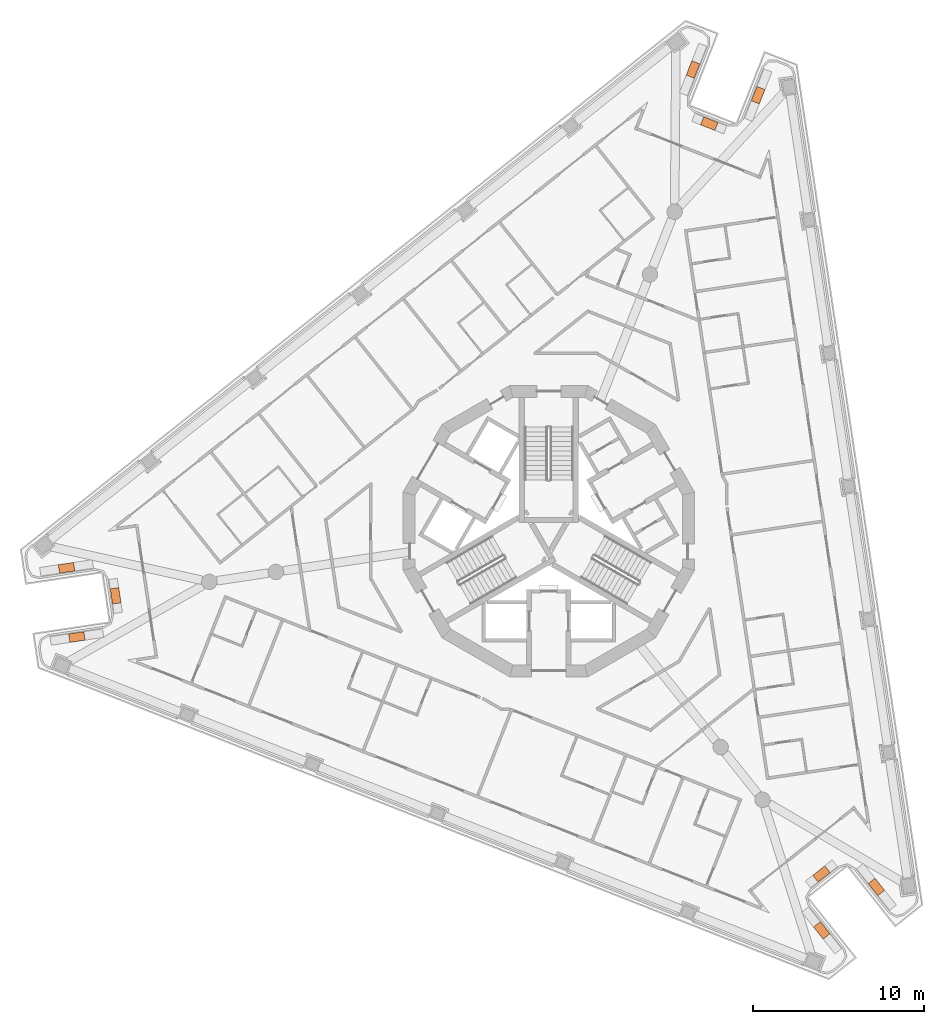
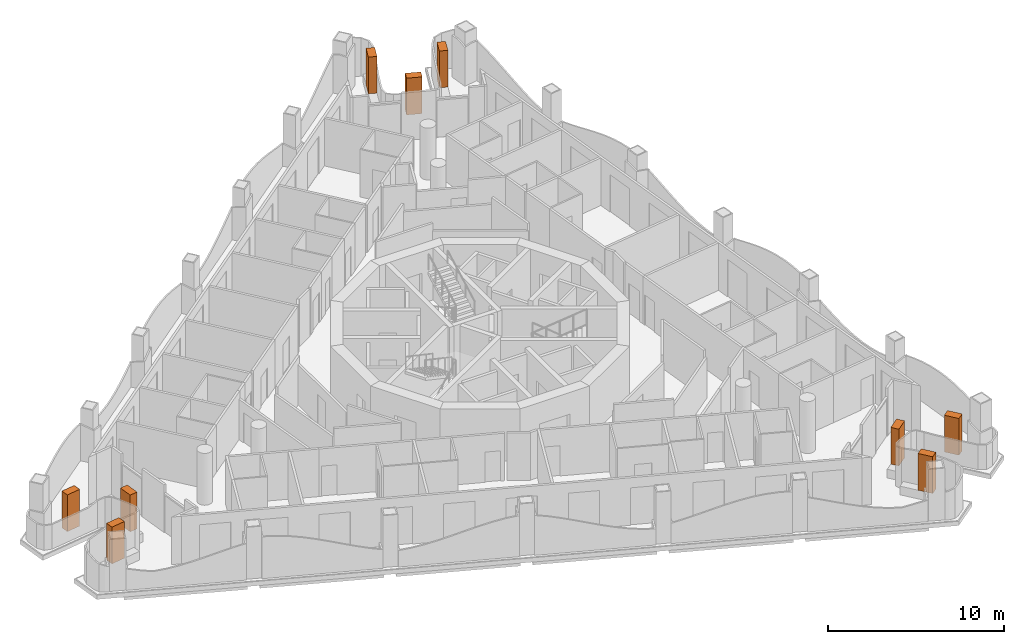
# One storey, part 16 of 16: 9 geographic elements.
"""IFC4 building model written with IfcOpenShell, lengths in metres."""

from ifc_helpers import new_model, si_unit, direction, frame, origin, origin_2d, place, context, subcontext, project, spatial, rectangle, extrude, element, save


model = new_model("IFC4")

# Units and contexts
model_context = context("Model", 3, precision=1e-05, world=origin(), true_north=direction((0.0, 1.0)))
body_context = subcontext(model_context, "Body", "Model", "MODEL_VIEW")
ifc_project = project(units=[si_unit("LENGTHUNIT", "METRE"), si_unit("AREAUNIT", "SQUARE_METRE"), si_unit("VOLUMEUNIT", "CUBIC_METRE"), si_unit("PLANEANGLEUNIT", "RADIAN"), si_unit("MASSUNIT", "GRAM", prefix="KILO")], contexts=[model_context])

# Site, building, storey
site_placement = place(None, origin())
site = spatial("IfcSite", under=ifc_project, at=site_placement, CompositionType="ELEMENT")
building_placement = place(site_placement, origin())
building = spatial("IfcBuilding", under=site, at=building_placement, Name="Trine Commons Tower", CompositionType="ELEMENT")
storey_placement = place(building_placement, frame((0.0, 0.0, 205.199951171875)))
storey = spatial("IfcBuildingStorey", under=building, at=storey_placement, Name="L53", CompositionType="ELEMENT", Elevation=205.199951171875)

# Geographic elements
for number, where, z_axis, x_axis, name in (
    (1, (52.4794921875, 56.324462890625, 0.60009765625), (0.0, 0.0, 1.0), (0.989018700917, 0.147790423361, 0.0), "Tree 1.1"),
    (2, (54.73974609375, 58.724853515625, 0.60009765625), (0.0, 0.0, 1.0), (-0.147812863445, 0.989015347404, 0.0), "Tree 2.1"),
    (3, (51.87646484375, 60.359619140625, 0.60009765625), (0.0, 0.0, 1.0), (-0.989014831433, -0.147816315759, 0.0), "Tree 3.1"),
    (4, (88.412109375, 89.421142578125, 0.60009765625), (0.0, 0.0, 1.0), (-0.366494731175, -0.930420126621, 0.0), "Tree 4.1"),
    (5, (89.360595703125, 86.263671875, 0.60009765625), (0.0, 0.0, 1.0), (0.930416928315, -0.366502850609, 0.0), "Tree 5.1"),
    (6, (92.2080078125, 87.92578125, 0.60009765625), (0.0, 0.0, 1.0), (0.366520713264, 0.930409891794, 0.0), "Tree 6.1"),
    (7, (99.1083984375, 41.75439453125, 0.60009765625), (0.0, 0.0, 1.0), (-0.622516002546, 0.782607070358, 0.0), "Tree 7.1"),
    (8, (95.899658203125, 42.511474609375, 0.60009765625), (0.0, 0.0, 1.0), (-0.782586426516, -0.622541954437, 0.0), "Tree 8.1"),
    (9, (95.915283203125, 39.214599609375, 0.60009765625), (0.0, 0.0, 1.0), (0.622516002546, -0.782607070358, 0.0), "Tree 9.1"),
):
    element("IfcGeographicElement", number, at=place(storey_placement, frame(where, z_axis=z_axis, x_axis=x_axis)), inside=storey, Name=name, ObjectType="TREE Tabebuia rosea", PredefinedType="USERDEFINED", context=body_context, shape_type="SweptSolid", body=[
        extrude(rectangle(XDim=0.89990234375, YDim=0.5, at=origin_2d()), origin(), (0.0, 0.0, 1.0), 2.550048828125),
    ])

save(model, "model.ifc")
